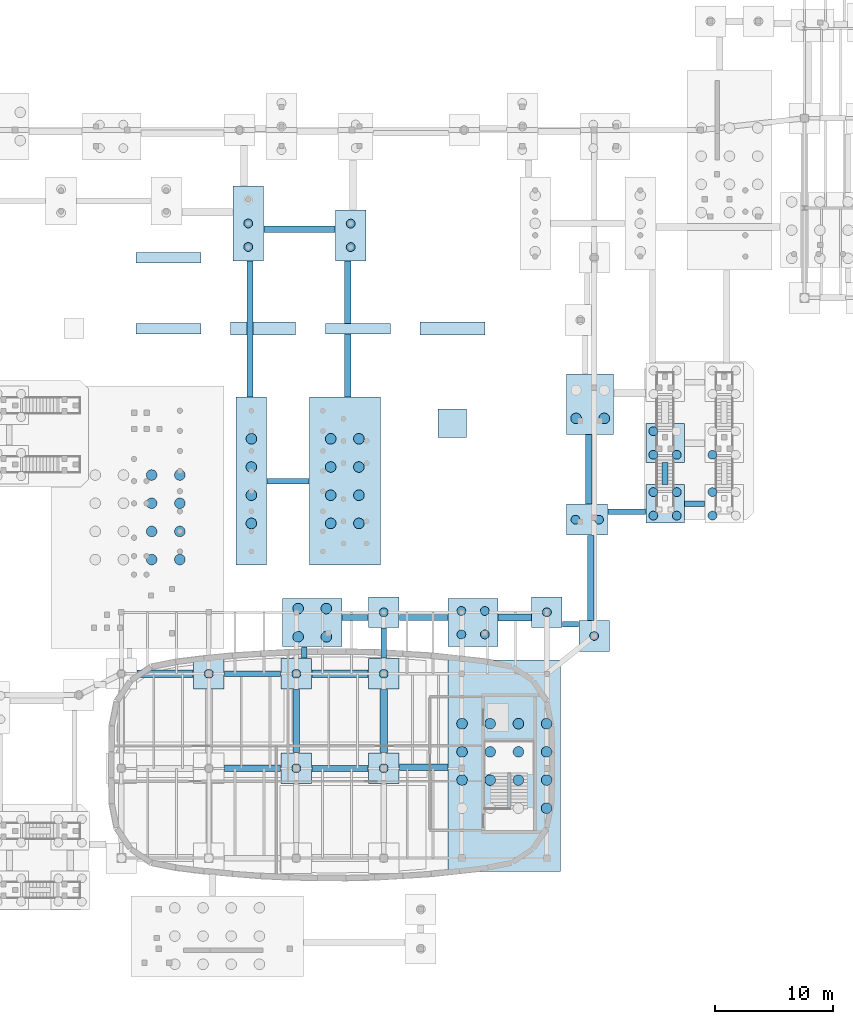
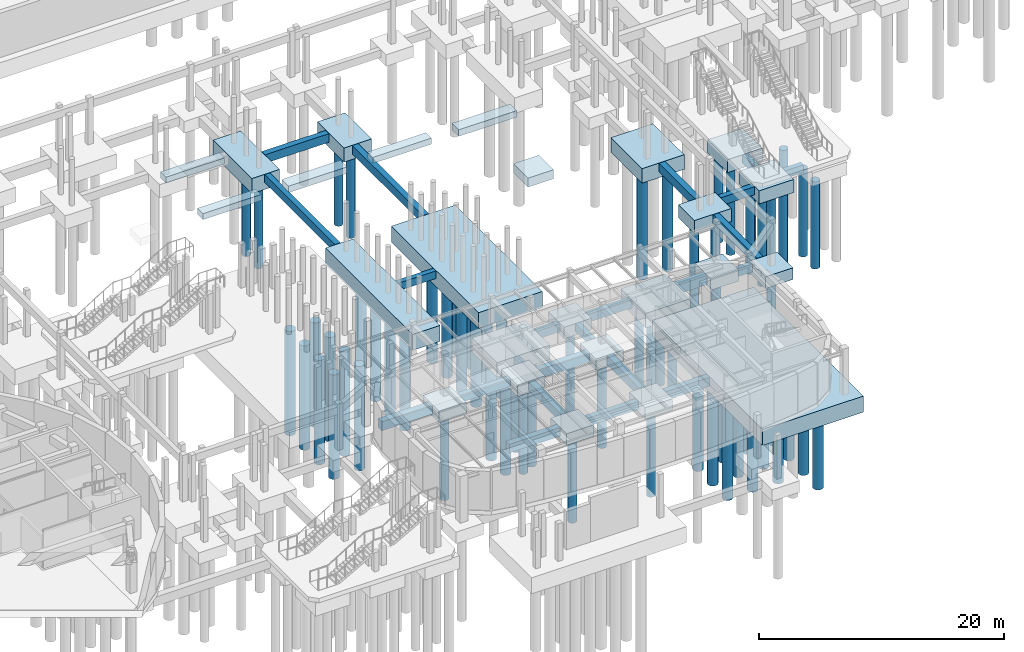
# One storey, part 3 of 45: 67 piles, 48 footings.
"""IFC4 building model written with IfcOpenShell, lengths in metres."""

import ifcopenshell
import ifcopenshell.guid

model = None  # the IFC model being written
_history = None  # IfcOwnerHistory: only IFC2X3 demands one
_inside = {}  # id of a spatial element -> (the spatial element, [elements in it])
_under = {}  # id of a project, library or spatial element -> (it, [spatial elements below it])
_declared = {}  # id of a project -> (the project, [libraries it declares])
_typed = {}  # id of a type object -> (the type object, [elements of that type])
_made_of = {}  # id of a material, layer set ... -> (it, [elements and type objects made of it])


def new_model(schema):
    """Start an empty IFC model of exactly this schema.

    Asked for "IFC4X3", IfcOpenShell would pick the latest addendum, in which some entities
    have other attributes; the version numbers below select the first issue.
    IFC2X3 requires an IfcOwnerHistory on every rooted entity: one is made here for all.
    """
    global model, _history
    if schema == "IFC4X3":
        model = ifcopenshell.file(schema_version=(4, 3, 0, 0))
    else:
        model = ifcopenshell.file(schema=schema)
    _inside.clear()
    _under.clear()
    _declared.clear()
    _typed.clear()
    _made_of.clear()
    _history = None
    if model.schema == "IFC2X3":
        org = make("IfcOrganization", Name="unknown")
        user = make(
            "IfcPersonAndOrganization",
            ThePerson=make("IfcPerson", FamilyName="unknown"),
            TheOrganization=org,
        )
        app = make(
            "IfcApplication",
            ApplicationDeveloper=org,
            Version="unknown",
            ApplicationFullName="unknown",
            ApplicationIdentifier="unknown",
        )
        _history = make(
            "IfcOwnerHistory",
            OwningUser=user,
            OwningApplication=app,
            ChangeAction="ADDED",
            CreationDate=0,
        )
    return model


def make(cls, **values):
    """One entity of the class cls with the attributes given. An attribute that is None is left unset."""
    return model.create_entity(
        cls, **{name: value for name, value in values.items() if value is not None}
    )


def rooted(cls, **values):
    """An entity with a GlobalId (a new one), such as an element, a storey or a relation."""
    return make(cls, GlobalId=ifcopenshell.guid.new(), OwnerHistory=_history, **values)


def si_unit(unit_type, name, prefix=None):
    """IfcSIUnit, for example si_unit("LENGTHUNIT", "METRE", prefix="MILLI")."""
    return make("IfcSIUnit", UnitType=unit_type, Prefix=prefix, Name=name)


def assignment(units):
    """IfcUnitAssignment: the units of a project."""
    return None if units is None else make("IfcUnitAssignment", Units=units)


def point(xyz):
    """IfcCartesianPoint."""
    return None if xyz is None else make("IfcCartesianPoint", Coordinates=xyz)


def direction(xyz):
    """IfcDirection."""
    return None if xyz is None else make("IfcDirection", DirectionRatios=xyz)


def frame(location, z_axis=None, x_axis=None):
    """IfcAxis2Placement3D, a coordinate frame: its origin and axes. An axis left out is left unset."""
    return make(
        "IfcAxis2Placement3D",
        Location=point(location),
        Axis=direction(z_axis),
        RefDirection=direction(x_axis),
    )


def frame_2d(location, x_axis=None):
    """IfcAxis2Placement2D, a coordinate frame in the plane: its origin and x axis."""
    return make(
        "IfcAxis2Placement2D", Location=point(location), RefDirection=direction(x_axis)
    )


def origin():
    """The frame at (0, 0, 0) with its axes left unset."""
    return frame((0.0, 0.0, 0.0))


def origin_2d():
    """The frame at (0, 0) in the plane with its x axis left unset."""
    return frame_2d((0.0, 0.0))


def place(relative_to, where):
    """IfcLocalPlacement: puts the frame where relative to a parent placement (None: the world)."""
    return make(
        "IfcLocalPlacement", PlacementRelTo=relative_to, RelativePlacement=where
    )


def context(
    kind, dimensions, precision=None, world=None, true_north=None, identifier=None
):
    """IfcGeometricRepresentationContext, for example the 3D "Model" context."""
    return make(
        "IfcGeometricRepresentationContext",
        ContextIdentifier=identifier,
        ContextType=kind,
        CoordinateSpaceDimension=dimensions,
        Precision=precision,
        WorldCoordinateSystem=world,
        TrueNorth=true_north,
    )


def subcontext(parent, identifier, kind, view, scale=None):
    """IfcGeometricRepresentationSubContext, for example "Body" below "Model"."""
    return make(
        "IfcGeometricRepresentationSubContext",
        ContextIdentifier=identifier,
        ContextType=kind,
        ParentContext=parent,
        TargetScale=scale,
        TargetView=view,
    )


def project(units=None, contexts=None):
    """IfcProject with its units and contexts."""
    return rooted(
        "IfcProject",
        Name="project",
        RepresentationContexts=contexts,
        UnitsInContext=assignment(units),
    )


def spatial(cls, under=None, at=None, **own):
    """A site, building, storey or space (cls), placed at a placement, below another one or the project."""
    s = rooted(cls, ObjectPlacement=at, **own)
    if under is not None:
        _under.setdefault(under.id(), (under, []))[1].append(s)
    return s


def profile(cls, at=None, kind="AREA", **sizes):
    """A parametric profile (cls). Its sizes go by their IFC names, for example OverallWidth=200.0."""
    return make(cls, ProfileType=kind, Position=at, **sizes)


def rectangle(**sizes):
    """IfcRectangleProfileDef."""
    return profile("IfcRectangleProfileDef", **sizes)


def circle(**sizes):
    """IfcCircleProfileDef."""
    return profile("IfcCircleProfileDef", **sizes)


def extrude(swept, where, along, depth):
    """IfcExtrudedAreaSolid: the profile swept, set in the frame where, extruded along a direction by depth."""
    return make(
        "IfcExtrudedAreaSolid",
        SweptArea=swept,
        Position=where,
        ExtrudedDirection=direction(along),
        Depth=depth,
    )


def shape(context_of_items, identifier, shape_type, items):
    """IfcShapeRepresentation: the items that make up one representation, for example the "Body"."""
    return make(
        "IfcShapeRepresentation",
        ContextOfItems=context_of_items,
        RepresentationIdentifier=identifier,
        RepresentationType=shape_type,
        Items=items,
    )


def material(Name=None, Category=None):
    """IfcMaterial."""
    return make("IfcMaterial", Name=Name, Category=Category)


def material_profile(
    of_material, cross_section, Name=None, Category=None, Priority=None
):
    """IfcMaterialProfile: a cross section and its material."""
    return make(
        "IfcMaterialProfile",
        Name=Name,
        Material=of_material,
        Profile=cross_section,
        Priority=Priority,
        Category=Category,
    )


def profile_set(profiles, Name=None, composite=None):
    """IfcMaterialProfileSet."""
    return make(
        "IfcMaterialProfileSet",
        Name=Name,
        MaterialProfiles=profiles,
        CompositeProfile=composite,
    )


def made_of(thing, what):
    """Note that an element or type object is made of a material, layer set ...; save() writes the relation."""
    if what is not None:
        _made_of.setdefault(what.id(), (what, []))[1].append(thing)
    return thing


def type_object(cls, material=None, **own):
    """A type object (cls), such as IfcWallType, which elements share."""
    return made_of(rooted(cls, **own), material)


def element(
    cls,
    number,
    at=None,
    inside=None,
    cuts=None,
    type_object=None,
    material=None,
    context=None,
    identifier="Body",
    shape_type=None,
    held_by="IfcProductDefinitionShape",
    body=None,
    shapes=None,
    **own,
):
    """One element of the class cls, such as IfcWall. Its Tag is "e" and its number.

    at: its placement. inside: the storey or other place that contains it. cuts: it is an
    opening in that element (IfcRelVoidsElement). A single representation is given by context,
    identifier, shape_type and body (its items); several are given by shapes. held_by: the class
    of the entity that holds the representations. save() writes the other relations.
    """
    e = rooted(cls, Tag="e%d" % number, ObjectPlacement=at, **own)
    if body is not None:
        shapes = [shape(context, identifier, shape_type, body)]
    if shapes is not None:
        e.Representation = make(held_by, Representations=shapes)
    if inside is not None:
        _inside.setdefault(inside.id(), (inside, []))[1].append(e)
    if cuts is not None:
        rooted(
            "IfcRelVoidsElement", RelatingBuildingElement=cuts, RelatedOpeningElement=e
        )
    if type_object is not None:
        _typed.setdefault(type_object.id(), (type_object, []))[1].append(e)
    return made_of(e, material)


def aggregate(whole, parts):
    """IfcRelAggregates: a whole, such as a stair, and the parts it consists of."""
    return rooted("IfcRelAggregates", RelatingObject=whole, RelatedObjects=parts)


def save(model, path):
    """Write the relations noted so far, then the file.

    IfcRelAggregates (storeys below a building ...), IfcRelContainedInSpatialStructure (elements
    in a storey), IfcRelDefinesByType, IfcRelAssociatesMaterial and IfcRelDeclares: one each for
    every whole, place, type object, material and project.
    """
    for whole, parts in _under.values():
        aggregate(whole, parts)
    for where, things in _inside.values():
        rooted(
            "IfcRelContainedInSpatialStructure",
            RelatedElements=things,
            RelatingStructure=where,
        )
    for kind, things in _typed.values():
        rooted("IfcRelDefinesByType", RelatedObjects=things, RelatingType=kind)
    for what, things in _made_of.values():
        rooted("IfcRelAssociatesMaterial", RelatedObjects=things, RelatingMaterial=what)
    for by, libraries in _declared.values():
        rooted("IfcRelDeclares", RelatingContext=by, RelatedDefinitions=libraries)
    model.write(path)


model = new_model("IFC4")

# Units and contexts
model_context = context("Model", 3, precision=1e-05, world=origin(), true_north=direction((0.0, 1.0)))
body_context = subcontext(model_context, "Body", "Model", "MODEL_VIEW")
ifc_project = project(units=[si_unit("LENGTHUNIT", "METRE"), si_unit("AREAUNIT", "SQUARE_METRE"), si_unit("VOLUMEUNIT", "CUBIC_METRE"), si_unit("PLANEANGLEUNIT", "RADIAN"), si_unit("MASSUNIT", "GRAM", prefix="KILO")], contexts=[model_context])

# Site, building, storey
site_placement = place(None, origin())
site = spatial("IfcSite", under=ifc_project, at=site_placement, CompositionType="ELEMENT")
building_placement = place(site_placement, origin())
building = spatial("IfcBuilding", under=site, at=building_placement, Name="Corveleigh Park Community Centre", CompositionType="ELEMENT")
storey_placement = place(building_placement, frame((0.0, 0.0, -4.199951171875)))
storey = spatial("IfcBuildingStorey", under=building, at=storey_placement, Name="B1", CompositionType="ELEMENT", Elevation=-4.199951171875)

# Footings
ifc_material_1 = material(Name="Concrete C40/50", Category="concrete")
footing_type_1 = type_object("IfcFootingType", Name="FTG-GB-450x750", PredefinedType="FOOTING_BEAM", material=ifc_material_1)
footing_1_placement = place(storey_placement, frame((83.10009765625, 26.800048828125, -1.1650390625), z_axis=(0.0, 0.0, 1.0), x_axis=(1.0, 0.0, 0.0)))
element("IfcFooting", 1, at=footing_1_placement, inside=storey, type_object=footing_type_1, Name="Ground tie beam 101", PredefinedType="FOOTING_BEAM", context=body_context, shape_type="SweptSolid", body=[
    extrude(rectangle(XDim=4.760009765625, YDim=0.449951171875, at=origin_2d()), origin(), (0.0, 0.0, 1.0), 0.75),
])
footing_2_placement = place(storey_placement, frame((86.09912109375, 43.10009765625, -1.1650390625), z_axis=(0.0, 0.0, 1.0), x_axis=(1.0, 0.0, 0.0)))
element("IfcFooting", 2, at=footing_2_placement, inside=storey, type_object=footing_type_1, Name="Ground tie beam 105", PredefinedType="FOOTING_BEAM", context=body_context, shape_type="SweptSolid", body=[
    extrude(rectangle(XDim=3.55810546875, YDim=0.449951171875, at=origin_2d()), origin(), (0.0, 0.0, 1.0), 0.75),
])
footing_3_placement = place(storey_placement, frame((87.47509765625, 28.595947265625, -1.1650390625), z_axis=(0.0, 0.0, 1.0), x_axis=(1.0, 0.0, 0.0)))
element("IfcFooting", 3, at=footing_3_placement, inside=storey, type_object=footing_type_1, Name="Ground tie beam 113", PredefinedType="FOOTING_BEAM", context=body_context, shape_type="SweptSolid", body=[
    extrude(rectangle(XDim=0.449951171875, YDim=0.951904296875, at=origin_2d()), origin(), (0.0, 0.0, 1.0), 0.75),
])
footing_4_placement = place(storey_placement, frame((94.199951171875, 29.39990234375, -1.1650390625), z_axis=(0.0, 0.0, 1.0), x_axis=(1.0, 0.0, 0.0)))
element("IfcFooting", 4, at=footing_4_placement, inside=storey, type_object=footing_type_1, Name="Ground tie beam 121", PredefinedType="FOOTING_BEAM", context=body_context, shape_type="SweptSolid", body=[
    extrude(rectangle(XDim=0.449951171875, YDim=2.56005859375, at=origin_2d()), origin(), (0.0, 0.0, 1.0), 0.75),
])
footing_5_placement = place(storey_placement, frame((110.0, 31.0, -1.1650390625), z_axis=(0.0, 0.0, 1.0), x_axis=(1.0, 0.0, 0.0)))
element("IfcFooting", 5, at=footing_5_placement, inside=storey, type_object=footing_type_1, Name="Ground tie beam 129", PredefinedType="FOOTING_BEAM", context=body_context, shape_type="SweptSolid", body=[
    extrude(rectangle(XDim=1.360107421875, YDim=0.449951171875, at=origin_2d()), origin(), (0.0, 0.0, 1.0), 0.75),
])
footing_6_placement = place(storey_placement, frame((120.5, 41.175048828125, -1.1650390625), z_axis=(0.0, 0.0, 1.0), x_axis=(1.0, 0.0, 0.0)))
element("IfcFooting", 6, at=footing_6_placement, inside=storey, type_object=footing_type_1, Name="Ground tie beam 137", PredefinedType="FOOTING_BEAM", context=body_context, shape_type="SweptSolid", body=[
    extrude(rectangle(XDim=1.699951171875, YDim=0.449951171875, at=origin_2d()), origin(), (0.0, 0.0, 1.0), 0.75),
])
footing_type_2 = type_object("IfcFootingType", Name="FTG-GB-500x800", PredefinedType="FOOTING_BEAM", material=ifc_material_1)
footing_7_placement = place(storey_placement, frame((82.866943359375, 55.967041015625, -1.21484375), z_axis=(0.0, 0.0, 1.0), x_axis=(1.0, 0.0, 0.0)))
element("IfcFooting", 7, at=footing_7_placement, inside=storey, type_object=footing_type_2, Name="Ground tie beam 106", PredefinedType="FOOTING_BEAM", context=body_context, shape_type="SweptSolid", body=[
    extrude(rectangle(XDim=0.5, YDim=11.493896484375, at=origin_2d()), origin(), (0.0, 0.0, 1.0), 0.800048828125),
])
footing_8_placement = place(storey_placement, frame((90.5, 18.800048828125, -1.21484375), z_axis=(0.0, 0.0, 1.0), x_axis=(1.0, 0.0, 0.0)))
element("IfcFooting", 8, at=footing_8_placement, inside=storey, type_object=footing_type_2, Name="Ground tie beam 110", PredefinedType="FOOTING_BEAM", context=body_context, shape_type="SweptSolid", body=[
    extrude(rectangle(XDim=4.760009765625, YDim=0.5, at=origin_2d()), origin(), (0.0, 0.0, 1.0), 0.800048828125),
])
footing_9_placement = place(storey_placement, frame((91.77490234375, 31.56005859375, -1.21484375), z_axis=(0.0, 0.0, 1.0), x_axis=(1.0, 0.0, 0.0)))
element("IfcFooting", 9, at=footing_9_placement, inside=storey, type_object=footing_type_2, Name="Ground tie beam 114", PredefinedType="FOOTING_BEAM", context=body_context, shape_type="SweptSolid", body=[
    extrude(rectangle(XDim=2.2099609375, YDim=0.5, at=origin_2d()), origin(), (0.0, 0.0, 1.0), 0.800048828125),
])
footing_10_placement = place(storey_placement, frame((97.574951171875, 31.56005859375, -1.21484375), z_axis=(0.0, 0.0, 1.0), x_axis=(1.0, 0.0, 0.0)))
element("IfcFooting", 10, at=footing_10_placement, inside=storey, type_object=footing_type_2, Name="Ground tie beam 122", PredefinedType="FOOTING_BEAM", context=body_context, shape_type="SweptSolid", body=[
    extrude(rectangle(XDim=4.110107421875, YDim=0.5, at=origin_2d()), origin(), (0.0, 0.0, 1.0), 0.800048828125),
])
footing_11_placement = place(storey_placement, frame((114.760009765625, 40.506103515625, -1.21484375), z_axis=(0.0, 0.0, 1.0), x_axis=(1.0, 0.0, 0.0)))
element("IfcFooting", 11, at=footing_11_placement, inside=storey, type_object=footing_type_2, Name="Ground tie beam 130", PredefinedType="FOOTING_BEAM", context=body_context, shape_type="SweptSolid", body=[
    extrude(rectangle(XDim=3.179931640625, YDim=0.5, at=origin_2d()), origin(), (0.0, 0.0, 1.0), 0.800048828125),
])
footing_12_placement = place(storey_placement, frame((118.0, 43.739990234375, -1.21484375), z_axis=(0.0, 0.0, 1.0), x_axis=(1.0, 0.0, 0.0)))
element("IfcFooting", 12, at=footing_12_placement, inside=storey, type_object=footing_type_2, Name="Ground tie beam 138", PredefinedType="FOOTING_BEAM", context=body_context, shape_type="SweptSolid", body=[
    extrude(rectangle(XDim=0.5, YDim=1.840087890625, at=origin_2d()), origin(), (0.0, 0.0, 1.0), 0.800048828125),
])
footing_type_3 = type_object("IfcFootingType", Name="FTG-GB-550x850", PredefinedType="FOOTING_BEAM", material=ifc_material_1)
footing_13_placement = place(storey_placement, frame((83.10009765625, 18.800048828125, -1.26513671875), z_axis=(0.0, 0.0, 1.0), x_axis=(1.0, 0.0, 0.0)))
element("IfcFooting", 13, at=footing_13_placement, inside=storey, type_object=footing_type_3, Name="Ground tie beam 99", PredefinedType="FOOTING_BEAM", context=body_context, shape_type="SweptSolid", body=[
    extrude(rectangle(XDim=4.760009765625, YDim=0.550048828125, at=origin_2d()), origin(), (0.0, 0.0, 1.0), 0.85009765625),
])
footing_14_placement = place(storey_placement, frame((87.06689453125, 64.39599609375, -1.26513671875), z_axis=(0.0, 0.0, 1.0), x_axis=(1.0, 0.0, 0.0)))
element("IfcFooting", 14, at=footing_14_placement, inside=storey, type_object=footing_type_3, Name="Ground tie beam 103", PredefinedType="FOOTING_BEAM", context=body_context, shape_type="SweptSolid", body=[
    extrude(rectangle(XDim=6.02587890625, YDim=0.550048828125, at=origin_2d()), origin(), (0.0, 0.0, 1.0), 0.85009765625),
])
footing_15_placement = place(storey_placement, frame((86.800048828125, 22.800048828125, -1.26513671875), z_axis=(0.0, 0.0, 1.0), x_axis=(1.0, 0.0, 0.0)))
element("IfcFooting", 15, at=footing_15_placement, inside=storey, type_object=footing_type_3, Name="Ground tie beam 111", PredefinedType="FOOTING_BEAM", context=body_context, shape_type="SweptSolid", body=[
    extrude(rectangle(XDim=0.550048828125, YDim=5.360107421875, at=origin_2d()), origin(), (0.0, 0.0, 1.0), 0.85009765625),
])
footing_16_placement = place(storey_placement, frame((91.15087890625, 55.967041015625, -1.26513671875), z_axis=(0.0, 0.0, 1.0), x_axis=(1.0, 0.0, 0.0)))
element("IfcFooting", 16, at=footing_16_placement, inside=storey, type_object=footing_type_3, Name="Ground tie beam 115", PredefinedType="FOOTING_BEAM", context=body_context, shape_type="SweptSolid", body=[
    extrude(rectangle(XDim=0.550048828125, YDim=11.493896484375, at=origin_2d()), origin(), (0.0, 0.0, 1.0), 0.85009765625),
])
footing_17_placement = place(storey_placement, frame((97.574951171875, 18.89990234375, -1.26513671875), z_axis=(0.0, 0.0, 1.0), x_axis=(1.0, 0.0, 0.0)))
element("IfcFooting", 17, at=footing_17_placement, inside=storey, type_object=footing_type_3, Name="Ground tie beam 119", PredefinedType="FOOTING_BEAM", context=body_context, shape_type="SweptSolid", body=[
    extrude(rectangle(XDim=4.110107421875, YDim=0.550048828125, at=origin_2d()), origin(), (0.0, 0.0, 1.0), 0.85009765625),
])
footing_18_placement = place(storey_placement, frame((111.5390625, 44.10009765625, -1.26513671875), z_axis=(0.0, 0.0, 1.0), x_axis=(1.0, 0.0, 0.0)))
element("IfcFooting", 18, at=footing_18_placement, inside=storey, type_object=footing_type_3, Name="Ground tie beam 131", PredefinedType="FOOTING_BEAM", context=body_context, shape_type="SweptSolid", body=[
    extrude(rectangle(XDim=0.550048828125, YDim=5.860107421875, at=origin_2d()), origin(), (0.0, 0.0, 1.0), 0.85009765625),
])
footing_19_placement = place(storey_placement, frame((111.70703125, 34.912109375, -1.26513671875), z_axis=(0.0, 0.0, 1.0), x_axis=(1.0, 0.0, 0.0)))
element("IfcFooting", 19, at=footing_19_placement, inside=storey, type_object=footing_type_3, Name="Ground tie beam 135", PredefinedType="FOOTING_BEAM", context=body_context, shape_type="SweptSolid", body=[
    extrude(rectangle(XDim=0.550048828125, YDim=7.18408203125, at=origin_2d()), origin(), (0.0, 0.0, 1.0), 0.85009765625),
])
footing_type_4 = type_object("IfcFootingType", Name="FTG-GB-600x900", PredefinedType="FOOTING_BEAM", material=ifc_material_1)
for number, where, z_axis, x_axis, name in (
    (20, (75.699951171875, 26.800048828125, -1.31494140625), (0.0, 0.0, 1.0), (1.0, 0.0, 0.0), "Ground tie beam 92"),
    (21, (90.5, 26.800048828125, -1.31494140625), (0.0, 0.0, 1.0), (1.0, 0.0, 0.0), "Ground tie beam 112"),
):
    element("IfcFooting", number, at=place(storey_placement, frame(where, z_axis=z_axis, x_axis=x_axis)), inside=storey, type_object=footing_type_4, Name=name, PredefinedType="FOOTING_BEAM", context=body_context, shape_type="SweptSolid", body=[
        extrude(rectangle(XDim=4.760009765625, YDim=0.60009765625, at=origin_2d()), origin(), (0.0, 0.0, 1.0), 0.89990234375),
    ])
footing_20_placement = place(storey_placement, frame((94.199951171875, 22.800048828125, -1.31494140625), z_axis=(0.0, 0.0, 1.0), x_axis=(1.0, 0.0, 0.0)))
element("IfcFooting", 22, at=footing_20_placement, inside=storey, type_object=footing_type_4, Name="Ground tie beam 120", PredefinedType="FOOTING_BEAM", context=body_context, shape_type="SweptSolid", body=[
    extrude(rectangle(XDim=0.60009765625, YDim=5.360107421875, at=origin_2d()), origin(), (0.0, 0.0, 1.0), 0.89990234375),
])
footing_21_placement = place(storey_placement, frame((105.282958984375, 31.56005859375, -1.31494140625), z_axis=(0.0, 0.0, 1.0), x_axis=(1.0, 0.0, 0.0)))
element("IfcFooting", 23, at=footing_21_placement, inside=storey, type_object=footing_type_4, Name="Ground tie beam 124", PredefinedType="FOOTING_BEAM", context=body_context, shape_type="SweptSolid", body=[
    extrude(rectangle(XDim=2.7939453125, YDim=0.60009765625, at=origin_2d()), origin(), (0.0, 0.0, 1.0), 0.89990234375),
])
footing_type_5 = type_object("IfcFootingType", Name="FTG-PAD-2400", PredefinedType="PAD_FOOTING", material=ifc_material_1)
footing_22_placement = place(storey_placement, frame((100.0, 48.0, 1.699951171875), z_axis=(0.0, 0.0, 1.0), x_axis=(1.0, 0.0, 0.0)))
element("IfcFooting", 24, at=footing_22_placement, inside=storey, type_object=footing_type_5, Name="Landscape pavilion pad footing 5", PredefinedType="PAD_FOOTING", context=body_context, shape_type="SweptSolid", body=[
    extrude(rectangle(XDim=2.39990234375, YDim=2.39990234375, at=origin_2d()), origin(), (0.0, 0.0, 1.0), 0.89990234375),
])
footing_type_6 = type_object("IfcFootingType", Name="FTG-PC-2600x2600x1150", PredefinedType="PILE_CAP", material=ifc_material_1)
for number, where, z_axis, x_axis, name in (
    (25, (79.39990234375, 26.800048828125, -1.56494140625), (0.0, 0.0, 1.0), (1.0, 0.0, 0.0), "Pile cap 82"),
    (26, (86.800048828125, 18.800048828125, -1.56494140625), (0.0, 0.0, 1.0), (1.0, 0.0, 0.0), "Pile cap 88"),
    (27, (86.800048828125, 26.800048828125, -1.56494140625), (0.0, 0.0, 1.0), (1.0, 0.0, 0.0), "Pile cap 89"),
    (28, (94.199951171875, 18.800048828125, -1.56494140625), (0.0, 0.0, 1.0), (1.0, 0.0, 0.0), "Pile cap 95"),
    (29, (94.199951171875, 26.800048828125, -1.56494140625), (0.0, 0.0, 1.0), (1.0, 0.0, 0.0), "Pile cap 96"),
    (30, (94.199951171875, 32.0, -1.56494140625), (0.0, 0.0, 1.0), (1.0, 0.0, 0.0), "Pile cap 97"),
    (31, (108.0, 32.0, -1.56494140625), (0.0, 0.0, 1.0), (1.0, 0.0, 0.0), "Pile cap 105"),
    (32, (112.0, 30.0, -1.56494140625), (0.0, 0.0, 1.0), (1.0, 0.0, 0.0), "Pile cap 109"),
):
    element("IfcFooting", number, at=place(storey_placement, frame(where, z_axis=z_axis, x_axis=x_axis)), inside=storey, type_object=footing_type_6, Name=name, PredefinedType="PILE_CAP", context=body_context, shape_type="SweptSolid", body=[
        extrude(rectangle(XDim=2.60009765625, YDim=2.60009765625, at=origin_2d()), origin(), (0.0, 0.0, 1.0), 1.14990234375),
    ])
footing_type_7 = type_object("IfcFootingType", Name="FTG-PC-3200x3200x1300", PredefinedType="PILE_CAP", material=ifc_material_1)
footing_23_placement = place(storey_placement, frame((111.4140625, 39.8369140625, -1.71484375), z_axis=(0.0, 0.0, 1.0), x_axis=(1.0, 0.0, 0.0)))
element("IfcFooting", 33, at=footing_23_placement, inside=storey, type_object=footing_type_7, Name="Pile cap 106", PredefinedType="PILE_CAP", context=body_context, shape_type="SweptSolid", body=[
    extrude(rectangle(XDim=3.471923828125, YDim=2.6259765625, at=origin_2d()), origin(), (0.0, 0.0, 1.0), 1.300048828125),
])
footing_24_placement = place(storey_placement, frame((118.0, 41.175048828125, -1.71484375), z_axis=(0.0, 0.0, 1.0), x_axis=(1.0, 0.0, 0.0)))
element("IfcFooting", 34, at=footing_24_placement, inside=storey, type_object=footing_type_7, Name="Pile cap 113", PredefinedType="PILE_CAP", context=body_context, shape_type="SweptSolid", body=[
    extrude(rectangle(XDim=3.260009765625, YDim=3.25, at=origin_2d()), origin(), (0.0, 0.0, 1.0), 1.300048828125),
])
footing_25_placement = place(storey_placement, frame((118.0, 46.320068359375, -1.71484375), z_axis=(0.0, 0.0, 1.0), x_axis=(1.0, 0.0, 0.0)))
element("IfcFooting", 35, at=footing_25_placement, inside=storey, type_object=footing_type_7, Name="Pile cap 114", PredefinedType="PILE_CAP", context=body_context, shape_type="SweptSolid", body=[
    extrude(rectangle(XDim=3.260009765625, YDim=3.280029296875, at=origin_2d()), origin(), (0.0, 0.0, 1.0), 1.300048828125),
])
footing_type_8 = type_object("IfcFootingType", Name="FTG-PC-4600x3400x1400", PredefinedType="PILE_CAP", material=ifc_material_1)
footing_26_placement = place(storey_placement, frame((91.39990234375, 63.89208984375, -1.81494140625), z_axis=(0.0, 0.0, 1.0), x_axis=(1.0, 0.0, 0.0)))
element("IfcFooting", 36, at=footing_26_placement, inside=storey, type_object=footing_type_8, Name="Pile cap 92", PredefinedType="PILE_CAP", context=body_context, shape_type="SweptSolid", body=[
    extrude(rectangle(XDim=2.60009765625, YDim=4.31591796875, at=origin_2d()), origin(), (0.0, 0.0, 1.0), 1.39990234375),
])
footing_type_9 = type_object("IfcFootingType", Name="FTG-PC-5600x3800x1450", PredefinedType="PILE_CAP", material=ifc_material_1)
footing_27_placement = place(storey_placement, frame((88.14990234375, 31.12109375, -1.865234375), z_axis=(0.0, 0.0, 1.0), x_axis=(1.0, 0.0, 0.0)))
element("IfcFooting", 37, at=footing_27_placement, inside=storey, type_object=footing_type_9, Name="Pile cap 90", PredefinedType="PILE_CAP", context=body_context, shape_type="SweptSolid", body=[
    extrude(rectangle(XDim=5.0, YDim=4.05810546875, at=origin_2d()), origin(), (0.0, 0.0, 1.0), 1.449951171875),
])
footing_28_placement = place(storey_placement, frame((101.758056640625, 31.12109375, -1.865234375), z_axis=(0.0, 0.0, 1.0), x_axis=(1.0, 0.0, 0.0)))
element("IfcFooting", 38, at=footing_28_placement, inside=storey, type_object=footing_type_9, Name="Pile cap 101", PredefinedType="PILE_CAP", context=body_context, shape_type="SweptSolid", body=[
    extrude(rectangle(XDim=4.216064453125, YDim=4.05810546875, at=origin_2d()), origin(), (0.0, 0.0, 1.0), 1.449951171875),
])
footing_29_placement = place(storey_placement, frame((111.6640625, 49.60009765625, -1.865234375), z_axis=(0.0, 0.0, 1.0), x_axis=(1.0, 0.0, 0.0)))
element("IfcFooting", 39, at=footing_29_placement, inside=storey, type_object=footing_type_9, Name="Pile cap 107", PredefinedType="PILE_CAP", context=body_context, shape_type="SweptSolid", body=[
    extrude(rectangle(XDim=3.971923828125, YDim=5.10009765625, at=origin_2d()), origin(), (0.0, 0.0, 1.0), 1.449951171875),
])
footing_type_10 = type_object("IfcFootingType", Name="FTG-PC-6800x4800x1500", PredefinedType="PILE_CAP", material=ifc_material_1)
footing_30_placement = place(storey_placement, frame((82.73388671875, 64.89990234375, -1.9150390625), z_axis=(0.0, 0.0, 1.0), x_axis=(1.0, 0.0, 0.0)))
element("IfcFooting", 40, at=footing_30_placement, inside=storey, type_object=footing_type_10, Name="Pile cap 84", PredefinedType="PILE_CAP", context=body_context, shape_type="SweptSolid", body=[
    extrude(rectangle(XDim=2.60009765625, YDim=6.33203125, at=origin_2d()), origin(), (0.0, 0.0, 1.0), 1.5),
])
footing_type_11 = type_object("IfcFootingType", Name="FTG-PC-9800x7200x1600", PredefinedType="PILE_CAP", material=ifc_material_1)
footing_31_placement = place(storey_placement, frame((83.0, 43.10009765625, -2.01513671875), z_axis=(0.0, 0.0, 1.0), x_axis=(1.0, 0.0, 0.0)))
element("IfcFooting", 41, at=footing_31_placement, inside=storey, type_object=footing_type_11, Name="Pile cap 85", PredefinedType="PILE_CAP", context=body_context, shape_type="SweptSolid", body=[
    extrude(rectangle(XDim=2.60009765625, YDim=14.199951171875, at=origin_2d()), origin(), (0.0, 0.0, 1.0), 1.60009765625),
])
footing_32_placement = place(storey_placement, frame((90.903076171875, 43.10009765625, -2.01513671875), z_axis=(0.0, 0.0, 1.0), x_axis=(1.0, 0.0, 0.0)))
element("IfcFooting", 42, at=footing_32_placement, inside=storey, type_object=footing_type_11, Name="Pile cap 91", PredefinedType="PILE_CAP", context=body_context, shape_type="SweptSolid", body=[
    extrude(rectangle(XDim=6.010009765625, YDim=14.199951171875, at=origin_2d()), origin(), (0.0, 0.0, 1.0), 1.60009765625),
])
footing_33_placement = place(storey_placement, frame((104.39990234375, 19.0, -2.01513671875), z_axis=(0.0, 0.0, 1.0), x_axis=(1.0, 0.0, 0.0)))
element("IfcFooting", 43, at=footing_33_placement, inside=storey, type_object=footing_type_11, Name="Pile cap 100", PredefinedType="PILE_CAP", context=body_context, shape_type="SweptSolid", body=[
    extrude(rectangle(XDim=9.5, YDim=17.89990234375, at=origin_2d()), origin(), (0.0, 0.0, 1.0), 1.60009765625),
])
footing_type_12 = type_object("IfcFootingType", Name="FTG-SF-1100x650", PredefinedType="STRIP_FOOTING", material=ifc_material_1)
for number, where, z_axis, x_axis, name in (
    (44, (84.0, 56.0, 2.050048828125), (0.0, 0.0, 1.0), (1.0, 0.0, 0.0), "Strip footing 2"),
    (45, (100.0, 56.0, 2.050048828125), (0.0, 0.0, 1.0), (1.0, 0.0, 0.0), "Strip footing 4"),
):
    element("IfcFooting", number, at=place(storey_placement, frame(where, z_axis=z_axis, x_axis=x_axis)), inside=storey, type_object=footing_type_12, Name=name, PredefinedType="STRIP_FOOTING", context=body_context, shape_type="SweptSolid", body=[
        extrude(rectangle(XDim=5.5, YDim=1.10009765625, at=origin_2d()), origin(), (0.0, 0.0, 1.0), 0.64990234375),
    ])
footing_type_13 = type_object("IfcFootingType", Name="FTG-SF-900x600", PredefinedType="STRIP_FOOTING", material=ifc_material_1)
for number, where, z_axis, x_axis, name in (
    (46, (76.0, 56.0, 2.099853515625), (0.0, 0.0, 1.0), (1.0, 0.0, 0.0), "Strip footing 1"),
    (47, (92.0, 56.0, 2.099853515625), (0.0, 0.0, 1.0), (1.0, 0.0, 0.0), "Strip footing 3"),
    (48, (76.0, 62.0, 2.099853515625), (0.0, 0.0, 1.0), (1.0, 0.0, 0.0), "Strip footing 5"),
):
    element("IfcFooting", number, at=place(storey_placement, frame(where, z_axis=z_axis, x_axis=x_axis)), inside=storey, type_object=footing_type_13, Name=name, PredefinedType="STRIP_FOOTING", context=body_context, shape_type="SweptSolid", body=[
        extrude(rectangle(XDim=5.5, YDim=0.89990234375, at=origin_2d()), origin(), (0.0, 0.0, 1.0), 0.60009765625),
    ])

# Piles
ifc_material_2 = material(Name="Concrete C32/40", Category="concrete")
ifc_material_profile_1 = material_profile(ifc_material_2, circle(Radius=0.375, at=origin_2d()), Name="BORED-PILE-750", Category="concrete")
ifc_profile_set_1 = profile_set([ifc_material_profile_1], Name="Concrete C32/40")
pile_type_1 = type_object("IfcPileType", Name="PIL-BRD-750", PredefinedType="BORED", material=ifc_profile_set_1)
pile_1_placement = place(storey_placement, frame((79.39990234375, 26.800048828125, -1.465087890625), z_axis=(0.0, 0.0, -1.0), x_axis=(1.0, 0.0, 0.0)))
element("IfcPile", 49, at=pile_1_placement, inside=storey, type_object=pile_type_1, Name="Rotary bored pile C82-1", PredefinedType="BORED", context=body_context, shape_type="SweptSolid", body=[
    extrude(circle(Radius=0.375, at=origin_2d()), origin(), (0.0, 0.0, 1.0), 8.8349609375),
])
for number, where, z_axis, x_axis, name in (
    (50, (82.73388671875, 62.9130859375, -1.81494140625), (0.0, 0.0, -1.0), (1.0, 0.0, 0.0), "Rotary bored pile C84-1"),
    (51, (82.73388671875, 64.89990234375, -1.81494140625), (0.0, 0.0, -1.0), (1.0, 0.0, 0.0), "Rotary bored pile C84-2"),
):
    element("IfcPile", number, at=place(storey_placement, frame(where, z_axis=z_axis, x_axis=x_axis)), inside=storey, type_object=pile_type_1, Name=name, PredefinedType="BORED", context=body_context, shape_type="SweptSolid", body=[
        extrude(circle(Radius=0.375, at=origin_2d()), origin(), (0.0, 0.0, 1.0), 8.485107421875),
    ])
for number, where, z_axis, x_axis, name in (
    (52, (86.800048828125, 18.800048828125, -1.465087890625), (0.0, 0.0, -1.0), (1.0, 0.0, 0.0), "Rotary bored pile C88-1"),
    (53, (86.800048828125, 26.800048828125, -1.465087890625), (0.0, 0.0, -1.0), (1.0, 0.0, 0.0), "Rotary bored pile C89-1"),
):
    element("IfcPile", number, at=place(storey_placement, frame(where, z_axis=z_axis, x_axis=x_axis)), inside=storey, type_object=pile_type_1, Name=name, PredefinedType="BORED", context=body_context, shape_type="SweptSolid", body=[
        extrude(circle(Radius=0.375, at=origin_2d()), origin(), (0.0, 0.0, 1.0), 8.8349609375),
    ])
for number, where, z_axis, x_axis, name in (
    (54, (91.39990234375, 62.89892578125, -1.715087890625), (0.0, 0.0, -1.0), (1.0, 0.0, 0.0), "Rotary bored pile C92-1"),
    (55, (91.39990234375, 64.885986328125, -1.715087890625), (0.0, 0.0, -1.0), (1.0, 0.0, 0.0), "Rotary bored pile C92-2"),
):
    element("IfcPile", number, at=place(storey_placement, frame(where, z_axis=z_axis, x_axis=x_axis)), inside=storey, type_object=pile_type_1, Name=name, PredefinedType="BORED", context=body_context, shape_type="SweptSolid", body=[
        extrude(circle(Radius=0.375, at=origin_2d()), origin(), (0.0, 0.0, 1.0), 8.5849609375),
    ])
for number, where, z_axis, x_axis, name in (
    (56, (94.199951171875, 18.800048828125, -1.465087890625), (0.0, 0.0, -1.0), (1.0, 0.0, 0.0), "Rotary bored pile C95-1"),
    (57, (94.199951171875, 26.800048828125, -1.465087890625), (0.0, 0.0, -1.0), (1.0, 0.0, 0.0), "Rotary bored pile C96-1"),
    (58, (94.199951171875, 32.0, -1.465087890625), (0.0, 0.0, -1.0), (1.0, 0.0, 0.0), "Rotary bored pile C97-1"),
):
    element("IfcPile", number, at=place(storey_placement, frame(where, z_axis=z_axis, x_axis=x_axis)), inside=storey, type_object=pile_type_1, Name=name, PredefinedType="BORED", context=body_context, shape_type="SweptSolid", body=[
        extrude(circle(Radius=0.375, at=origin_2d()), origin(), (0.0, 0.0, 1.0), 8.8349609375),
    ])
for number, where, z_axis, x_axis, name in (
    (59, (100.763916015625, 30.126953125, -1.76513671875), (0.0, 0.0, -1.0), (1.0, 0.0, 0.0), "Rotary bored pile C101-1"),
    (60, (100.763916015625, 32.114013671875, -1.76513671875), (0.0, 0.0, -1.0), (1.0, 0.0, 0.0), "Rotary bored pile C101-2"),
    (61, (102.7509765625, 30.126953125, -1.76513671875), (0.0, 0.0, -1.0), (1.0, 0.0, 0.0), "Rotary bored pile C101-3"),
    (62, (102.7509765625, 32.114013671875, -1.76513671875), (0.0, 0.0, -1.0), (1.0, 0.0, 0.0), "Rotary bored pile C101-4"),
):
    element("IfcPile", number, at=place(storey_placement, frame(where, z_axis=z_axis, x_axis=x_axis)), inside=storey, type_object=pile_type_1, Name=name, PredefinedType="BORED", context=body_context, shape_type="SweptSolid", body=[
        extrude(circle(Radius=0.375, at=origin_2d()), origin(), (0.0, 0.0, 1.0), 8.534912109375),
    ])
pile_2_placement = place(storey_placement, frame((108.0, 32.0, -1.465087890625), z_axis=(0.0, 0.0, -1.0), x_axis=(1.0, 0.0, 0.0)))
element("IfcPile", 63, at=pile_2_placement, inside=storey, type_object=pile_type_1, Name="Rotary bored pile C105-1", PredefinedType="BORED", context=body_context, shape_type="SweptSolid", body=[
    extrude(circle(Radius=0.375, at=origin_2d()), origin(), (0.0, 0.0, 1.0), 8.8349609375),
])
for number, where, z_axis, x_axis, name in (
    (64, (110.4208984375, 39.8369140625, -1.614990234375), (0.0, 0.0, -1.0), (1.0, 0.0, 0.0), "Rotary bored pile C106-1"),
    (65, (112.406982421875, 39.8369140625, -1.614990234375), (0.0, 0.0, -1.0), (1.0, 0.0, 0.0), "Rotary bored pile C106-2"),
):
    element("IfcPile", number, at=place(storey_placement, frame(where, z_axis=z_axis, x_axis=x_axis)), inside=storey, type_object=pile_type_1, Name=name, PredefinedType="BORED", context=body_context, shape_type="SweptSolid", body=[
        extrude(circle(Radius=0.375, at=origin_2d()), origin(), (0.0, 0.0, 1.0), 8.68505859375),
    ])
pile_3_placement = place(storey_placement, frame((112.0, 30.0, -1.465087890625), z_axis=(0.0, 0.0, -1.0), x_axis=(1.0, 0.0, 0.0)))
element("IfcPile", 66, at=pile_3_placement, inside=storey, type_object=pile_type_1, Name="Rotary bored pile C109-1", PredefinedType="BORED", context=body_context, shape_type="SweptSolid", body=[
    extrude(circle(Radius=0.375, at=origin_2d()), origin(), (0.0, 0.0, 1.0), 8.8349609375),
])
for number, where, z_axis, x_axis, name in (
    (67, (117.007080078125, 40.180908203125, -1.614990234375), (0.0, 0.0, -1.0), (1.0, 0.0, 0.0), "Rotary bored pile C113-1"),
    (68, (117.007080078125, 42.1689453125, -1.614990234375), (0.0, 0.0, -1.0), (1.0, 0.0, 0.0), "Rotary bored pile C113-2"),
    (69, (118.992919921875, 40.180908203125, -1.614990234375), (0.0, 0.0, -1.0), (1.0, 0.0, 0.0), "Rotary bored pile C113-3"),
    (70, (118.992919921875, 42.1689453125, -1.614990234375), (0.0, 0.0, -1.0), (1.0, 0.0, 0.0), "Rotary bored pile C113-4"),
    (71, (117.007080078125, 45.326904296875, -1.614990234375), (0.0, 0.0, -1.0), (1.0, 0.0, 0.0), "Rotary bored pile C114-1"),
    (72, (117.007080078125, 47.31396484375, -1.614990234375), (0.0, 0.0, -1.0), (1.0, 0.0, 0.0), "Rotary bored pile C114-2"),
    (73, (118.992919921875, 45.326904296875, -1.614990234375), (0.0, 0.0, -1.0), (1.0, 0.0, 0.0), "Rotary bored pile C114-3"),
    (74, (122.007080078125, 40.180908203125, -1.614990234375), (0.0, 0.0, -1.0), (1.0, 0.0, 0.0), "Rotary bored pile C118-1"),
    (75, (122.007080078125, 42.1689453125, -1.614990234375), (0.0, 0.0, -1.0), (1.0, 0.0, 0.0), "Rotary bored pile C118-2"),
    (76, (122.007080078125, 45.326904296875, -1.614990234375), (0.0, 0.0, -1.0), (1.0, 0.0, 0.0), "Rotary bored pile C119-1"),
):
    element("IfcPile", number, at=place(storey_placement, frame(where, z_axis=z_axis, x_axis=x_axis)), inside=storey, type_object=pile_type_1, Name=name, PredefinedType="BORED", context=body_context, shape_type="SweptSolid", body=[
        extrude(circle(Radius=0.375, at=origin_2d()), origin(), (0.0, 0.0, 1.0), 8.68505859375),
    ])
ifc_material_profile_2 = material_profile(ifc_material_2, circle(Radius=0.449951171875, at=origin_2d()), Name="BORED-PILE-900", Category="concrete")
ifc_profile_set_2 = profile_set([ifc_material_profile_2], Name="Concrete C32/40")
pile_type_2 = type_object("IfcPileType", Name="PIL-BRD-900", PredefinedType="BORED", material=ifc_profile_set_2)
for number, where, z_axis, x_axis, name in (
    (77, (74.56201171875, 36.458984375, -1.9150390625), (0.0, 0.0, -1.0), (1.0, 0.0, 0.0), "Rotary bored pile C72-9"),
    (78, (74.56201171875, 38.843017578125, -1.9150390625), (0.0, 0.0, -1.0), (1.0, 0.0, 0.0), "Rotary bored pile C72-10"),
    (79, (74.56201171875, 41.22802734375, -1.9150390625), (0.0, 0.0, -1.0), (1.0, 0.0, 0.0), "Rotary bored pile C72-11"),
    (80, (74.56201171875, 43.614013671875, -1.9150390625), (0.0, 0.0, -1.0), (1.0, 0.0, 0.0), "Rotary bored pile C72-12"),
    (81, (76.947998046875, 36.458984375, -1.9150390625), (0.0, 0.0, -1.0), (1.0, 0.0, 0.0), "Rotary bored pile C72-13"),
    (82, (76.947998046875, 38.843017578125, -1.9150390625), (0.0, 0.0, -1.0), (1.0, 0.0, 0.0), "Rotary bored pile C72-14"),
    (83, (76.947998046875, 41.22802734375, -1.9150390625), (0.0, 0.0, -1.0), (1.0, 0.0, 0.0), "Rotary bored pile C72-15"),
    (84, (76.947998046875, 43.614013671875, -1.9150390625), (0.0, 0.0, -1.0), (1.0, 0.0, 0.0), "Rotary bored pile C72-16"),
    (85, (83.0, 39.52294921875, -1.9150390625), (0.0, 0.0, -1.0), (1.0, 0.0, 0.0), "Rotary bored pile C85-1"),
    (86, (83.0, 41.906982421875, -1.9150390625), (0.0, 0.0, -1.0), (1.0, 0.0, 0.0), "Rotary bored pile C85-2"),
    (87, (83.0, 44.29296875, -1.9150390625), (0.0, 0.0, -1.0), (1.0, 0.0, 0.0), "Rotary bored pile C85-3"),
    (88, (83.0, 46.677978515625, -1.9150390625), (0.0, 0.0, -1.0), (1.0, 0.0, 0.0), "Rotary bored pile C85-4"),
):
    element("IfcPile", number, at=place(storey_placement, frame(where, z_axis=z_axis, x_axis=x_axis)), inside=storey, type_object=pile_type_2, Name=name, PredefinedType="BORED", context=body_context, shape_type="SweptSolid", body=[
        extrude(circle(Radius=0.449951171875, at=origin_2d()), origin(), (0.0, 0.0, 1.0), 10.385009765625),
    ])
for number, where, z_axis, x_axis, name in (
    (89, (86.9580078125, 29.927978515625, -1.76513671875), (0.0, 0.0, -1.0), (1.0, 0.0, 0.0), "Rotary bored pile C90-1"),
    (90, (86.9580078125, 32.31298828125, -1.76513671875), (0.0, 0.0, -1.0), (1.0, 0.0, 0.0), "Rotary bored pile C90-2"),
    (91, (89.343017578125, 29.927978515625, -1.76513671875), (0.0, 0.0, -1.0), (1.0, 0.0, 0.0), "Rotary bored pile C90-3"),
    (92, (89.343017578125, 32.31298828125, -1.76513671875), (0.0, 0.0, -1.0), (1.0, 0.0, 0.0), "Rotary bored pile C90-4"),
):
    element("IfcPile", number, at=place(storey_placement, frame(where, z_axis=z_axis, x_axis=x_axis)), inside=storey, type_object=pile_type_2, Name=name, PredefinedType="BORED", context=body_context, shape_type="SweptSolid", body=[
        extrude(circle(Radius=0.449951171875, at=origin_2d()), origin(), (0.0, 0.0, 1.0), 10.534912109375),
    ])
for number, where, z_axis, x_axis, name in (
    (93, (89.7109375, 39.52294921875, -1.9150390625), (0.0, 0.0, -1.0), (1.0, 0.0, 0.0), "Rotary bored pile C91-1"),
    (94, (89.7109375, 41.906982421875, -1.9150390625), (0.0, 0.0, -1.0), (1.0, 0.0, 0.0), "Rotary bored pile C91-2"),
    (95, (89.7109375, 44.29296875, -1.9150390625), (0.0, 0.0, -1.0), (1.0, 0.0, 0.0), "Rotary bored pile C91-3"),
    (96, (89.7109375, 46.677978515625, -1.9150390625), (0.0, 0.0, -1.0), (1.0, 0.0, 0.0), "Rotary bored pile C91-4"),
    (97, (92.095947265625, 39.52294921875, -1.9150390625), (0.0, 0.0, -1.0), (1.0, 0.0, 0.0), "Rotary bored pile C91-5"),
    (98, (92.095947265625, 41.906982421875, -1.9150390625), (0.0, 0.0, -1.0), (1.0, 0.0, 0.0), "Rotary bored pile C91-6"),
    (99, (92.095947265625, 44.29296875, -1.9150390625), (0.0, 0.0, -1.0), (1.0, 0.0, 0.0), "Rotary bored pile C91-7"),
    (100, (92.095947265625, 46.677978515625, -1.9150390625), (0.0, 0.0, -1.0), (1.0, 0.0, 0.0), "Rotary bored pile C91-8"),
    (101, (100.822998046875, 17.806884765625, -1.9150390625), (0.0, 0.0, -1.0), (1.0, 0.0, 0.0), "Rotary bored pile C100-2"),
    (102, (100.822998046875, 20.19189453125, -1.9150390625), (0.0, 0.0, -1.0), (1.0, 0.0, 0.0), "Rotary bored pile C100-3"),
    (103, (100.822998046875, 22.577880859375, -1.9150390625), (0.0, 0.0, -1.0), (1.0, 0.0, 0.0), "Rotary bored pile C100-4"),
    (104, (103.2080078125, 17.806884765625, -1.9150390625), (0.0, 0.0, -1.0), (1.0, 0.0, 0.0), "Rotary bored pile C100-6"),
    (105, (103.2080078125, 20.19189453125, -1.9150390625), (0.0, 0.0, -1.0), (1.0, 0.0, 0.0), "Rotary bored pile C100-7"),
    (106, (103.2080078125, 22.577880859375, -1.9150390625), (0.0, 0.0, -1.0), (1.0, 0.0, 0.0), "Rotary bored pile C100-8"),
    (107, (105.593017578125, 17.806884765625, -1.9150390625), (0.0, 0.0, -1.0), (1.0, 0.0, 0.0), "Rotary bored pile C100-10"),
    (108, (105.593017578125, 20.19189453125, -1.9150390625), (0.0, 0.0, -1.0), (1.0, 0.0, 0.0), "Rotary bored pile C100-11"),
    (109, (105.593017578125, 22.577880859375, -1.9150390625), (0.0, 0.0, -1.0), (1.0, 0.0, 0.0), "Rotary bored pile C100-12"),
    (110, (107.97802734375, 15.422119140625, -1.9150390625), (0.0, 0.0, -1.0), (1.0, 0.0, 0.0), "Rotary bored pile C100-13"),
    (111, (107.97802734375, 17.806884765625, -1.9150390625), (0.0, 0.0, -1.0), (1.0, 0.0, 0.0), "Rotary bored pile C100-14"),
    (112, (107.97802734375, 20.19189453125, -1.9150390625), (0.0, 0.0, -1.0), (1.0, 0.0, 0.0), "Rotary bored pile C100-15"),
    (113, (107.97802734375, 22.577880859375, -1.9150390625), (0.0, 0.0, -1.0), (1.0, 0.0, 0.0), "Rotary bored pile C100-16"),
):
    element("IfcPile", number, at=place(storey_placement, frame(where, z_axis=z_axis, x_axis=x_axis)), inside=storey, type_object=pile_type_2, Name=name, PredefinedType="BORED", context=body_context, shape_type="SweptSolid", body=[
        extrude(circle(Radius=0.449951171875, at=origin_2d()), origin(), (0.0, 0.0, 1.0), 10.385009765625),
    ])
for number, where, z_axis, x_axis, name in (
    (114, (110.471923828125, 48.406982421875, -1.76513671875), (0.0, 0.0, -1.0), (1.0, 0.0, 0.0), "Rotary bored pile C107-1"),
    (115, (112.85693359375, 48.406982421875, -1.76513671875), (0.0, 0.0, -1.0), (1.0, 0.0, 0.0), "Rotary bored pile C107-3"),
):
    element("IfcPile", number, at=place(storey_placement, frame(where, z_axis=z_axis, x_axis=x_axis)), inside=storey, type_object=pile_type_2, Name=name, PredefinedType="BORED", context=body_context, shape_type="SweptSolid", body=[
        extrude(circle(Radius=0.449951171875, at=origin_2d()), origin(), (0.0, 0.0, 1.0), 10.534912109375),
    ])

save(model, "model.ifc")
